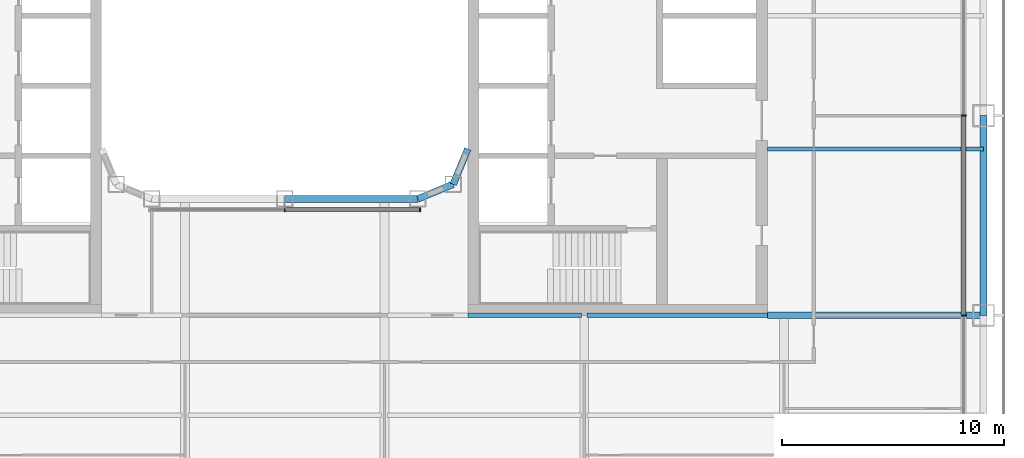
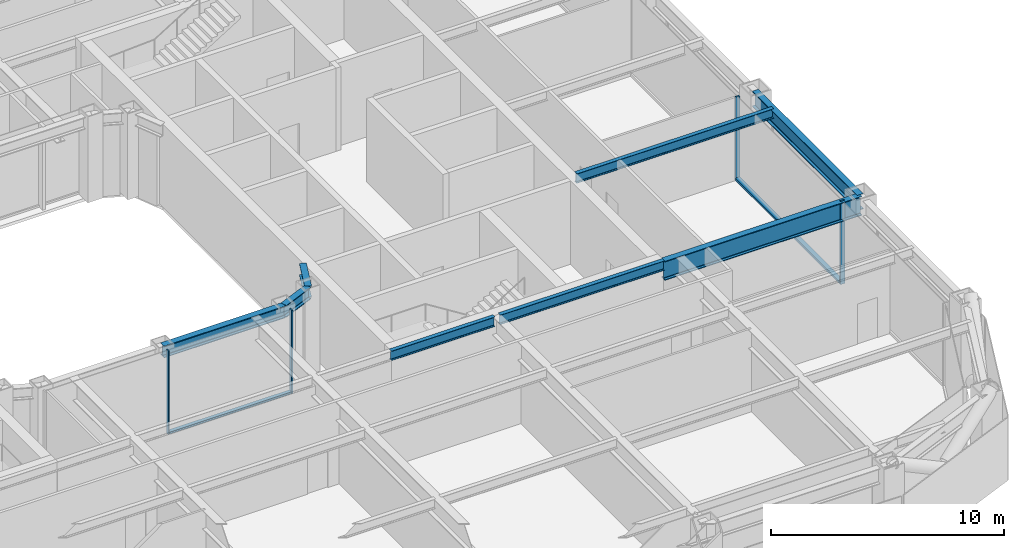
# One storey, part 5 of 25: 8 beams, 6 members, 2 elements without a shape of their own.
"""IFC4 building model written with IfcOpenShell, lengths in metres."""

from ifc_helpers import new_model, si_unit, direction, frame, origin, origin_2d, place, context, subcontext, project, spatial, rectangle, i_section, extrude, material, layer, layer_set, material_profile, profile_set, type_object, element, aggregate, save


model = new_model("IFC4")

# Units and contexts
model_context = context("Model", 3, precision=1e-05, world=origin(), true_north=direction((0.0, 1.0)))
body_context = subcontext(model_context, "Body", "Model", "MODEL_VIEW")
ifc_project = project(units=[si_unit("LENGTHUNIT", "METRE"), si_unit("AREAUNIT", "SQUARE_METRE"), si_unit("VOLUMEUNIT", "CUBIC_METRE"), si_unit("PLANEANGLEUNIT", "RADIAN"), si_unit("MASSUNIT", "GRAM", prefix="KILO")], contexts=[model_context])

# Site, building, storey
site_placement = place(None, origin())
site = spatial("IfcSite", under=ifc_project, at=site_placement, CompositionType="ELEMENT")
building_placement = place(site_placement, origin())
building = spatial("IfcBuilding", under=site, at=building_placement, Name="Siwar Civic Tower", CompositionType="ELEMENT")
storey_placement = place(building_placement, frame((0.0, 0.0, 58.199951171875)))
storey = spatial("IfcBuildingStorey", under=building, at=storey_placement, Name="L12", CompositionType="ELEMENT", Elevation=58.199951171875)

# Curtain wall, members
ifc_material_1 = material(Name="Aluminium and glass", Category="aluminium")
ifc_layer_1 = layer(ifc_material_1, 0.219970703125)
ifc_layer_set_1 = layer_set([ifc_layer_1], Name="Aluminium and glass")
curtain_wall_type_1 = type_object("IfcCurtainWallType", Name="ENV-CW-A", PredefinedType="NOTDEFINED", material=ifc_layer_set_1)
curtain_wall_1_placement = place(storey_placement, origin())
curtain_wall_1 = element("IfcCurtainWall", 1, at=curtain_wall_1_placement, inside=storey, type_object=curtain_wall_type_1, Name="Curtain wall A E", PredefinedType="NOTDEFINED")
ifc_material_2 = material(Name="Aluminium 6063-T6", Category="aluminium")
ifc_material_profile_1 = material_profile(ifc_material_2, rectangle(XDim=0.219970703125, YDim=0.070068359375, at=origin_2d()), Name="AL 220x70")
ifc_profile_set_1 = profile_set([ifc_material_profile_1], Name="Aluminium 6063-T6")
member_type_1 = type_object("IfcMemberType", Name="ENV-MULLION-A", PredefinedType="MULLION", material=ifc_profile_set_1)
member_1_placement = place(storey_placement, frame((30.60009765625, -13.5, 0.0), z_axis=(0.0, 0.0, 1.0), x_axis=(-1.0, 0.0, 0.0)))
member_1 = element("IfcMember", 2, at=member_1_placement, type_object=member_type_1, Name="Mullion A E 2", PredefinedType="MULLION", context=body_context, shape_type="SweptSolid", body=[
    extrude(rectangle(XDim=0.219970703125, YDim=0.070068359375, at=origin_2d()), origin(), (0.0, 0.0, 1.0), 4.35009765625),
])
member_2_placement = place(storey_placement, frame((30.60009765625, -4.5, 0.0), z_axis=(0.0, 0.0, 1.0), x_axis=(-1.0, 0.0, 0.0)))
member_2 = element("IfcMember", 3, at=member_2_placement, type_object=member_type_1, Name="Mullion A E 3", PredefinedType="MULLION", context=body_context, shape_type="SweptSolid", body=[
    extrude(rectangle(XDim=0.219970703125, YDim=0.070068359375, at=origin_2d()), origin(), (0.0, 0.0, 1.0), 4.35009765625),
])

ifc_material_3 = material(Name="Aluminium and glass", Category="aluminium")
ifc_layer_2 = layer(ifc_material_3, 0.179931640625)
ifc_layer_set_2 = layer_set([ifc_layer_2], Name="Aluminium and glass")
curtain_wall_type_2 = type_object("IfcCurtainWallType", Name="ENV-CW-W", PredefinedType="NOTDEFINED", material=ifc_layer_set_2)
curtain_wall_2_placement = place(storey_placement, origin())
curtain_wall_2 = element("IfcCurtainWall", 4, at=curtain_wall_2_placement, inside=storey, type_object=curtain_wall_type_2, Name="Curtain wall W WS", PredefinedType="NOTDEFINED")
ifc_material_4 = material(Name="Aluminium 6063-T6", Category="aluminium")
ifc_material_profile_2 = material_profile(ifc_material_4, rectangle(XDim=0.179931640625, YDim=0.06005859375, at=origin_2d()), Name="AL 180x60")
ifc_profile_set_2 = profile_set([ifc_material_profile_2], Name="Aluminium 6063-T6")
member_type_2 = type_object("IfcMemberType", Name="ENV-MULLION-W", PredefinedType="MULLION", material=ifc_profile_set_2)
member_3_placement = place(storey_placement, frame((0.0, -8.735107421875, 0.0), z_axis=(0.0, 0.0, 1.0), x_axis=(0.0, 1.0, 0.0)))
member_3 = element("IfcMember", 5, at=member_3_placement, type_object=member_type_2, Name="Mullion W WS 2", PredefinedType="MULLION", context=body_context, shape_type="SweptSolid", body=[
    extrude(rectangle(XDim=0.179931640625, YDim=0.06005859375, at=origin_2d()), origin(), (0.0, 0.0, 1.0), 4.35009765625),
])
member_4_placement = place(storey_placement, frame((6.096435546875, -8.735107421875, 0.0), z_axis=(0.0, 0.0, 1.0), x_axis=(0.0, 1.0, 0.0)))
member_4 = element("IfcMember", 6, at=member_4_placement, type_object=member_type_2, Name="Mullion W WS 3", PredefinedType="MULLION", context=body_context, shape_type="SweptSolid", body=[
    extrude(rectangle(XDim=0.179931640625, YDim=0.06005859375, at=origin_2d()), origin(), (0.0, 0.0, 1.0), 4.35009765625),
])

# Member
ifc_material_5 = material(Name="Aluminium 6063-T6", Category="aluminium")
ifc_material_profile_3 = material_profile(ifc_material_5, rectangle(XDim=0.219970703125, YDim=0.1201171875, at=origin_2d()), Name="AL 220x120")
ifc_profile_set_3 = profile_set([ifc_material_profile_3], Name="Aluminium 6063-T6")
member_type_3 = type_object("IfcMemberType", Name="ENV-TRANSOM-A", PredefinedType="USERDEFINED", material=ifc_profile_set_3)
member_5_placement = place(storey_placement, frame((30.60009765625, -13.465087890625, 0.06005859375), z_axis=(0.0, 1.0, 0.0), x_axis=(-1.0, 0.0, 0.0)))
member_5 = element("IfcMember", 7, at=member_5_placement, type_object=member_type_3, Name="Transom A E 2", ObjectType="TRANSOM", PredefinedType="USERDEFINED", context=body_context, shape_type="SweptSolid", body=[
    extrude(rectangle(XDim=0.219970703125, YDim=0.1201171875, at=origin_2d()), origin(), (0.0, 0.0, 1.0), 8.93017578125),
])

aggregate(curtain_wall_1, [member_1, member_2, member_5])

ifc_material_6 = material(Name="Aluminium 6063-T6", Category="aluminium")
ifc_material_profile_4 = material_profile(ifc_material_6, rectangle(XDim=0.179931640625, YDim=0.10009765625, at=origin_2d()), Name="AL 180x100")
ifc_profile_set_4 = profile_set([ifc_material_profile_4], Name="Aluminium 6063-T6")
member_type_4 = type_object("IfcMemberType", Name="ENV-TRANSOM-W", PredefinedType="USERDEFINED", material=ifc_profile_set_4)
member_6_placement = place(storey_placement, frame((0.030029296875, -8.735107421875, 0.050048828125), z_axis=(1.0, 0.0, 0.0), x_axis=(0.0, 1.0, 0.0)))
member_6 = element("IfcMember", 8, at=member_6_placement, type_object=member_type_4, Name="Transom W WS 2", ObjectType="TRANSOM", PredefinedType="USERDEFINED", context=body_context, shape_type="SweptSolid", body=[
    extrude(rectangle(XDim=0.179931640625, YDim=0.10009765625, at=origin_2d()), origin(), (0.0, 0.0, 1.0), 6.036376953125),
])

aggregate(curtain_wall_2, [member_3, member_4, member_6])

# Beams
ifc_material_7 = material(Name="Steel S355", Category="steel")
ifc_material_profile_5 = material_profile(ifc_material_7, i_section(OverallWidth=0.199951171875, OverallDepth=0.5, WebThickness=0.01025390625, FlangeThickness=0.01611328125, FilletRadius=0.02099609375, at=origin_2d()), Name="IPE500")
ifc_profile_set_5 = profile_set([ifc_material_profile_5], Name="Steel S355")
beam_type_1 = type_object("IfcBeamType", Name="STR-FB-IPE500", PredefinedType="JOIST", material=ifc_profile_set_5)
beam_1_placement = place(storey_placement, frame((8.25, -13.5, 4.10009765625), z_axis=(1.0, 0.0, 0.0), x_axis=(0.0, 1.0, 0.0)))
element("IfcBeam", 9, at=beam_1_placement, inside=storey, type_object=beam_type_1, Name="L12/bm/F028", PredefinedType="JOIST", context=body_context, shape_type="SweptSolid", body=[
    extrude(i_section(OverallWidth=0.199951171875, OverallDepth=0.5, WebThickness=0.01025390625, FlangeThickness=0.01611328125, FilletRadius=0.02099609375, at=origin_2d()), origin(), (0.0, 0.0, 1.0), 5.1201171875),
])
beam_2_placement = place(storey_placement, frame((13.6298828125, -13.5, 4.10009765625), z_axis=(1.0, 0.0, 0.0), x_axis=(0.0, 1.0, 0.0)))
element("IfcBeam", 10, at=beam_2_placement, inside=storey, type_object=beam_type_1, Name="L12/bm/F029", PredefinedType="JOIST", context=body_context, shape_type="SweptSolid", body=[
    extrude(i_section(OverallWidth=0.199951171875, OverallDepth=0.5, WebThickness=0.01025390625, FlangeThickness=0.01611328125, FilletRadius=0.02099609375, at=origin_2d()), origin(), (0.0, 0.0, 1.0), 8.1201171875),
])
beam_3_placement = place(storey_placement, frame((21.75, -6.0, 4.10009765625), z_axis=(1.0, 0.0, 0.0), x_axis=(0.0, 1.0, 0.0)))
element("IfcBeam", 11, at=beam_3_placement, inside=storey, type_object=beam_type_1, Name="L12/bm/F032", PredefinedType="JOIST", context=body_context, shape_type="SweptSolid", body=[
    extrude(i_section(OverallWidth=0.199951171875, OverallDepth=0.5, WebThickness=0.01025390625, FlangeThickness=0.01611328125, FilletRadius=0.02099609375, at=origin_2d()), origin(), (0.0, 0.0, 1.0), 9.75),
])
ifc_material_8 = material(Name="Steel S355", Category="steel")
ifc_material_profile_6 = material_profile(ifc_material_8, i_section(OverallWidth=0.300048828125, OverallDepth=1.0, WebThickness=0.01904296875, FlangeThickness=0.035888671875, FilletRadius=0.030029296875, at=origin_2d()), Name="HEB1000")
ifc_profile_set_6 = profile_set([ifc_material_profile_6], Name="Steel S355")
beam_type_2 = type_object("IfcBeamType", Name="STR-PG-HEB1000", PredefinedType="BEAM", material=ifc_profile_set_6)
beam_4_placement = place(storey_placement, frame((21.75, -13.5, 3.85009765625), z_axis=(1.0, 0.0, 0.0), x_axis=(0.0, 1.0, 0.0)))
element("IfcBeam", 12, at=beam_4_placement, inside=storey, type_object=beam_type_2, Name="L12/bm/F030", PredefinedType="BEAM", context=body_context, shape_type="SweptSolid", body=[
    extrude(i_section(OverallWidth=0.300048828125, OverallDepth=1.0, WebThickness=0.01904296875, FlangeThickness=0.035888671875, FilletRadius=0.030029296875, at=origin_2d()), origin(), (0.0, 0.0, 1.0), 9.75),
])
ifc_material_9 = material(Name="Steel S355", Category="steel")
ifc_material_profile_7 = material_profile(ifc_material_9, i_section(OverallWidth=0.304931640625, OverallDepth=0.6201171875, WebThickness=0.02099609375, FlangeThickness=0.0400390625, FilletRadius=0.027099609375, at=origin_2d()), Name="HEM600")
ifc_profile_set_7 = profile_set([ifc_material_profile_7], Name="Steel S355")
beam_type_3 = type_object("IfcBeamType", Name="STR-RB-HEM600", PredefinedType="BEAM", material=ifc_profile_set_7)
beam_5_placement = place(storey_placement, frame((0.0, -8.25, 4.0400390625), z_axis=(1.0, 0.0, 0.0), x_axis=(0.0, 1.0, 0.0)))
element("IfcBeam", 13, at=beam_5_placement, inside=storey, type_object=beam_type_3, Name="L12/bm/RS2", PredefinedType="BEAM", context=body_context, shape_type="SweptSolid", body=[
    extrude(i_section(OverallWidth=0.304931640625, OverallDepth=0.6201171875, WebThickness=0.02099609375, FlangeThickness=0.0400390625, FilletRadius=0.027099609375, at=origin_2d()), origin(), (0.0, 0.0, 1.0), 6.0),
])
for number, where, z_axis, x_axis, name in (
    (14, (6.0, -8.25, 4.0400390625), (0.923901072997, 0.382631424892, 0.0), (-0.382631424892, 0.923901072997, 0.0), "L12/bm/RS3"),
    (15, (7.591064453125, -7.591064453125, 4.0400390625), (0.382631424892, 0.923901072997, 0.0), (-0.923901072997, 0.382631424892, 0.0), "L12/bm/RSEE"),
):
    element("IfcBeam", number, at=place(storey_placement, frame(where, z_axis=z_axis, x_axis=x_axis)), inside=storey, type_object=beam_type_3, Name=name, PredefinedType="BEAM", context=body_context, shape_type="SweptSolid", body=[
        extrude(i_section(OverallWidth=0.304931640625, OverallDepth=0.6201171875, WebThickness=0.02099609375, FlangeThickness=0.0400390625, FilletRadius=0.027099609375, at=origin_2d()), origin(), (0.0, 0.0, 1.0), 1.72216796875),
    ])
ifc_material_10 = material(Name="Steel S355", Category="steel")
ifc_material_profile_8 = material_profile(ifc_material_10, i_section(OverallWidth=0.302978515625, OverallDepth=0.81396484375, WebThickness=0.02099609375, FlangeThickness=0.0400390625, FilletRadius=0.030029296875, at=origin_2d()), Name="HEM800")
ifc_profile_set_8 = profile_set([ifc_material_profile_8], Name="Steel S355")
beam_type_4 = type_object("IfcBeamType", Name="STR-SB-HEM800", PredefinedType="BEAM", material=ifc_profile_set_8)
beam_6_placement = place(storey_placement, frame((31.5, -13.5, 3.943115234375), z_axis=(0.0, 1.0, 0.0), x_axis=(-1.0, 0.0, 0.0)))
element("IfcBeam", 16, at=beam_6_placement, inside=storey, type_object=beam_type_4, Name="L12/bm/SE-1", PredefinedType="BEAM", context=body_context, shape_type="SweptSolid", body=[
    extrude(i_section(OverallWidth=0.302978515625, OverallDepth=0.81396484375, WebThickness=0.02099609375, FlangeThickness=0.0400390625, FilletRadius=0.030029296875, at=origin_2d()), origin(), (0.0, 0.0, 1.0), 9.0),
])

save(model, "model.ifc")
